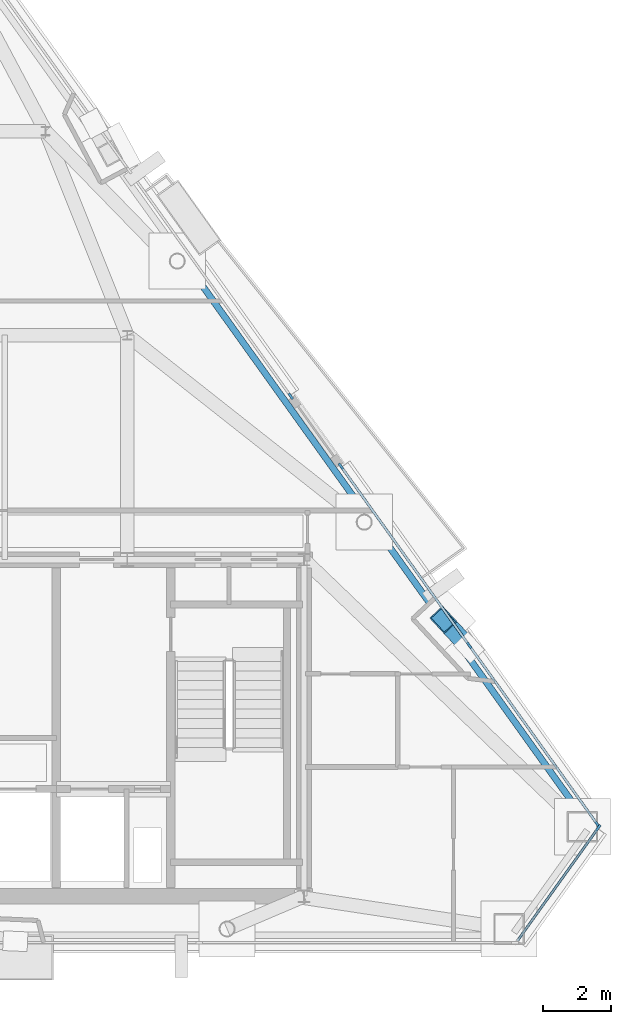
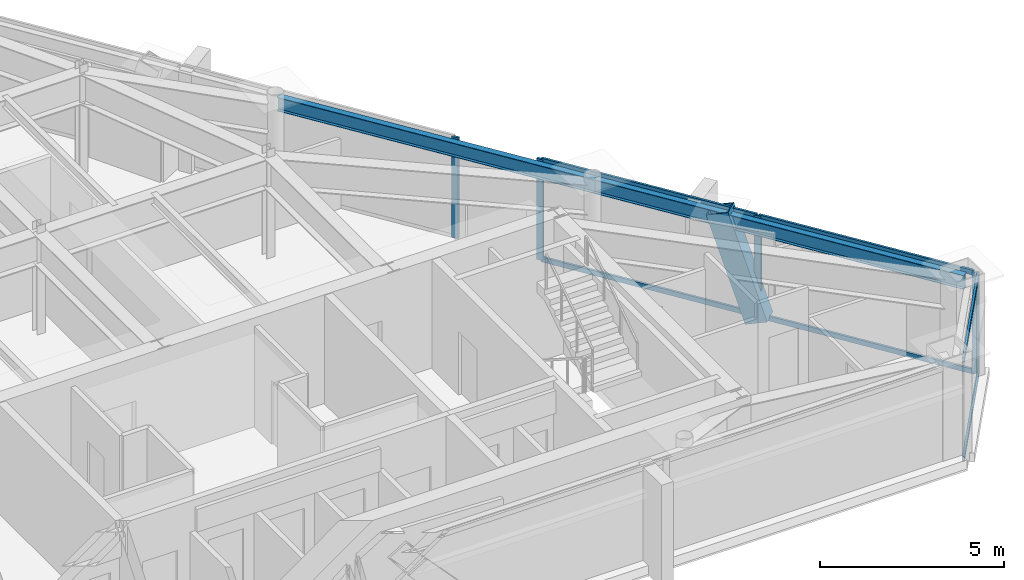
# One storey, part 6 of 12: 12 members, 2 beams, 3 elements without a shape of their own.
"""IFC4 building model written with IfcOpenShell, lengths in metres."""

from ifc_helpers import new_model, si_unit, direction, frame, origin, origin_2d, place, context, subcontext, project, spatial, rectangle, hollow_rectangle, i_section, extrude, material, layer, layer_set, material_profile, profile_set, type_object, element, aggregate, save


model = new_model("IFC4")

# Units and contexts
model_context = context("Model", 3, precision=1e-05, world=origin(), true_north=direction((0.0, 1.0)))
body_context = subcontext(model_context, "Body", "Model", "MODEL_VIEW")
ifc_project = project(units=[si_unit("LENGTHUNIT", "METRE"), si_unit("AREAUNIT", "SQUARE_METRE"), si_unit("VOLUMEUNIT", "CUBIC_METRE"), si_unit("PLANEANGLEUNIT", "RADIAN"), si_unit("MASSUNIT", "GRAM", prefix="KILO")], contexts=[model_context])

# Site, building, storey
site_placement = place(None, origin())
site = spatial("IfcSite", under=ifc_project, at=site_placement, CompositionType="ELEMENT")
building_placement = place(site_placement, origin())
building = spatial("IfcBuilding", under=site, at=building_placement, Name="Talgorran Terracotta Tower", CompositionType="ELEMENT")
storey_placement = place(building_placement, frame((0.0, 0.0, 259.800048828125)))
storey = spatial("IfcBuildingStorey", under=building, at=storey_placement, Name="L68", CompositionType="ELEMENT", Elevation=259.800048828125)

# Beams
ifc_material_1 = material(Name="Steel S355 (300PLUS)", Category="steel")
ifc_material_profile_1 = material_profile(ifc_material_1, i_section(OverallWidth=0.18994140625, OverallDepth=0.45703125, WebThickness=0.009033203125, FlangeThickness=0.014404296875, at=origin_2d()), Name="460UB74.6")
ifc_profile_set_1 = profile_set([ifc_material_profile_1], Name="Steel S355 (300PLUS)")
beam_type = type_object("IfcBeamType", Name="BM_SP_460UB74", PredefinedType="SPANDREL", material=ifc_profile_set_1)
beam_1_placement = place(storey_placement, frame((20.7314453125, -11.951904296875, 3.116455078125), z_axis=(-0.58220828918, 0.813039671855, 0.0), x_axis=(-0.813039671855, -0.58220828918, 0.0)))
element("IfcBeam", 1, at=beam_1_placement, inside=storey, type_object=beam_type, Name="L68 Perimeter Spandrel Beam MC4-FC3", PredefinedType="SPANDREL", context=body_context, shape_type="SweptSolid", body=[
    extrude(i_section(OverallWidth=0.18994140625, OverallDepth=0.45703125, WebThickness=0.009033203125, FlangeThickness=0.014404296875, at=origin_2d()), origin(), (0.0, 0.0, 1.0), 11.017578125),
])
beam_2_placement = place(storey_placement, frame((14.31689453125, -2.994140625, 3.116455078125), z_axis=(-0.582203768418, 0.813042909102, 0.0), x_axis=(-0.813042909102, -0.582203768418, 0.0)))
element("IfcBeam", 2, at=beam_2_placement, inside=storey, type_object=beam_type, Name="L68 Perimeter Spandrel Beam FC3-FC4", PredefinedType="SPANDREL", context=body_context, shape_type="SweptSolid", body=[
    extrude(i_section(OverallWidth=0.18994140625, OverallDepth=0.45703125, WebThickness=0.009033203125, FlangeThickness=0.014404296875, at=origin_2d()), origin(), (0.0, 0.0, 1.0), 9.443603515625),
])

# Member
ifc_material_2 = material(Name="Steel Grade 350 (350L0)", Category="steel")
ifc_material_profile_2 = material_profile(ifc_material_2, hollow_rectangle(XDim=0.52001953125, YDim=0.659912109375, WallThickness=0.034912109375, at=origin_2d()), Name="WBOX660X520X35")
ifc_profile_set_2 = profile_set([ifc_material_profile_2], Name="Steel Grade 350 (350L0)")
member_type_1 = type_object("IfcMemberType", Name="MB_MEGA_660", PredefinedType="BRACE", material=ifc_profile_set_2)
member_1_placement = place(storey_placement, frame((17.255126953125, -6.7880859375, -0.025146484375), z_axis=(-0.211573447714, 0.228384516234, 0.950303735112), x_axis=(-0.733590428143, -0.679591850847, 0.0)))
element("IfcMember", 3, at=member_1_placement, inside=storey, type_object=member_type_1, Name="L68 Exterior Face Mega-Brace MB-3 (NEL)", PredefinedType="BRACE", context=body_context, shape_type="SweptSolid", body=[
    extrude(hollow_rectangle(XDim=0.52001953125, YDim=0.659912109375, WallThickness=0.034912109375, at=origin_2d()), origin(), (0.0, 0.0, 1.0), 3.572509765625),
])

# Curtain wall, member
ifc_material_3 = material(Name="High-Wind Unitised Glazing", Category="glass")
ifc_layer = layer(ifc_material_3, 0.2099609375, Name="CW_SYS3_RES_HIGH")
ifc_layer_set = layer_set([ifc_layer], Name="High-Wind Unitised Glazing")
curtain_wall_type = type_object("IfcCurtainWallType", Name="CW_SYS3_RES_HIGH", PredefinedType="NOTDEFINED", material=ifc_layer_set)
curtain_wall_1_placement = place(storey_placement, origin())
curtain_wall_1 = element("IfcCurtainWall", 4, at=curtain_wall_1_placement, inside=storey, type_object=curtain_wall_type, Name="CW-L68-F2", PredefinedType="NOTDEFINED")
ifc_material_4 = material(Name="Architectural Aluminium 6063-T6", Category="aluminium")
ifc_material_profile_3 = material_profile(ifc_material_4, rectangle(XDim=0.070068359375, YDim=0.199951171875, at=origin_2d()), Name="CWM70X200")
ifc_profile_set_3 = profile_set([ifc_material_profile_3], Name="Architectural Aluminium 6063-T6")
member_type_2 = type_object("IfcMemberType", Name="MUL_70X200", PredefinedType="MULLION", material=ifc_profile_set_3)
member_2_placement = place(storey_placement, frame((21.056640625, -12.085205078125, 0.0), z_axis=(0.0, 0.0, 1.0), x_axis=(-0.813031401137, 0.582219838862, 0.0)))
member_2 = element("IfcMember", 5, at=member_2_placement, type_object=member_type_2, Name="CW-L68-2 mullion 2", PredefinedType="MULLION", context=body_context, shape_type="SweptSolid", body=[
    extrude(rectangle(XDim=0.070068359375, YDim=0.199951171875, at=origin_2d()), origin(), (0.0, 0.0, 1.0), 3.344970703125),
])

# Curtain wall, members
curtain_wall_2_placement = place(storey_placement, origin())
curtain_wall_2 = element("IfcCurtainWall", 6, at=curtain_wall_2_placement, inside=storey, type_object=curtain_wall_type, Name="CW-L68-F40", PredefinedType="NOTDEFINED")
member_3_placement = place(storey_placement, frame((21.033447265625, -11.995849609375, 0.0), z_axis=(0.0, 0.0, 1.0), x_axis=(-0.813042499903, -0.58220433986, 0.0)))
member_3 = element("IfcMember", 7, at=member_3_placement, type_object=member_type_2, Name="CW-L68-40 mullion 1", PredefinedType="MULLION", context=body_context, shape_type="SweptSolid", body=[
    extrude(rectangle(XDim=0.070068359375, YDim=0.199951171875, at=origin_2d()), origin(), (0.0, 0.0, 1.0), 3.344970703125),
])
member_4_placement = place(storey_placement, frame((17.259033203125, -6.724853515625, 0.0), z_axis=(0.0, 0.0, 1.0), x_axis=(-0.813042499903, -0.58220433986, 0.0)))
member_4 = element("IfcMember", 8, at=member_4_placement, type_object=member_type_2, Name="CW-L68-40 mullion 2", PredefinedType="MULLION", context=body_context, shape_type="SweptSolid", body=[
    extrude(rectangle(XDim=0.070068359375, YDim=0.199951171875, at=origin_2d()), origin(), (0.0, 0.0, 1.0), 3.344970703125),
])
member_5_placement = place(storey_placement, frame((13.484619140625, -1.453857421875, 0.0), z_axis=(0.0, 0.0, 1.0), x_axis=(-0.813042499903, -0.58220433986, 0.0)))
member_5 = element("IfcMember", 9, at=member_5_placement, type_object=member_type_2, Name="CW-L68-40 mullion 3", PredefinedType="MULLION", context=body_context, shape_type="SweptSolid", body=[
    extrude(rectangle(XDim=0.070068359375, YDim=0.199951171875, at=origin_2d()), origin(), (0.0, 0.0, 1.0), 3.344970703125),
])

# Curtain wall, member
curtain_wall_3_placement = place(storey_placement, origin())
curtain_wall_3 = element("IfcCurtainWall", 10, at=curtain_wall_3_placement, inside=storey, type_object=curtain_wall_type, Name="CW-L68-F41", PredefinedType="NOTDEFINED")
member_6_placement = place(storey_placement, frame((12.011474609375, 0.603271484375, 0.0), z_axis=(0.0, 0.0, 1.0), x_axis=(-0.813042574, -0.582204236384, 0.0)))
member_6 = element("IfcMember", 11, at=member_6_placement, type_object=member_type_2, Name="CW-L68-41 mullion 1", PredefinedType="MULLION", context=body_context, shape_type="SweptSolid", body=[
    extrude(rectangle(XDim=0.070068359375, YDim=0.199951171875, at=origin_2d()), origin(), (0.0, 0.0, 1.0), 3.344970703125),
])
aggregate(curtain_wall_3, [member_6])

# Member
ifc_material_profile_4 = material_profile(ifc_material_4, rectangle(XDim=0.070068359375, YDim=0.159912109375, at=origin_2d()), Name="CWT70X160")
ifc_profile_set_4 = profile_set([ifc_material_profile_4], Name="Architectural Aluminium 6063-T6")
member_type_3 = type_object("IfcMemberType", Name="TRN_70X160", PredefinedType="USERDEFINED", material=ifc_profile_set_4)
member_7_placement = place(storey_placement, frame((18.678466796875, -15.406494140625, 0.034912109375), z_axis=(0.582184359595, 0.813056807021, 0.0), x_axis=(-0.813056807021, 0.582184359595, 0.0)))
member_7 = element("IfcMember", 12, at=member_7_placement, type_object=member_type_3, Name="CW-L68-2 transom 1.1", ObjectType="TRANSOM", PredefinedType="USERDEFINED", context=body_context, shape_type="SweptSolid", body=[
    extrude(rectangle(XDim=0.070068359375, YDim=0.159912109375, at=origin_2d()), origin(), (0.0, 0.0, 1.0), 4.050048828125),
])

member_8_placement = place(storey_placement, frame((18.678466796875, -15.406494140625, 3.31005859375), z_axis=(0.582184359595, 0.813056807021, 0.0), x_axis=(-0.813056807021, 0.582184359595, 0.0)))
member_8 = element("IfcMember", 13, at=member_8_placement, type_object=member_type_3, Name="CW-L68-2 transom 1.2", ObjectType="TRANSOM", PredefinedType="USERDEFINED", context=body_context, shape_type="SweptSolid", body=[
    extrude(rectangle(XDim=0.070068359375, YDim=0.159912109375, at=origin_2d()), origin(), (0.0, 0.0, 1.0), 4.050048828125),
])

aggregate(curtain_wall_1, [member_2, member_7, member_8])

member_9_placement = place(storey_placement, frame((21.012939453125, -11.96728515625, 0.034912109375), z_axis=(-0.582195700012, 0.813048686665, 0.0), x_axis=(-0.813048686665, -0.582195700012, 0.0)))
member_9 = element("IfcMember", 14, at=member_9_placement, type_object=member_type_3, Name="CW-L68-40 transom 1.1", ObjectType="TRANSOM", PredefinedType="USERDEFINED", context=body_context, shape_type="SweptSolid", body=[
    extrude(rectangle(XDim=0.070068359375, YDim=0.159912109375, at=origin_2d()), origin(), (0.0, 0.0, 1.0), 6.4130859375),
])

member_10_placement = place(storey_placement, frame((21.012939453125, -11.96728515625, 3.31005859375), z_axis=(-0.582195700012, 0.813048686665, 0.0), x_axis=(-0.813048686665, -0.582195700012, 0.0)))
member_10 = element("IfcMember", 15, at=member_10_placement, type_object=member_type_3, Name="CW-L68-40 transom 1.2", ObjectType="TRANSOM", PredefinedType="USERDEFINED", context=body_context, shape_type="SweptSolid", body=[
    extrude(rectangle(XDim=0.070068359375, YDim=0.159912109375, at=origin_2d()), origin(), (0.0, 0.0, 1.0), 6.4130859375),
])

member_11_placement = place(storey_placement, frame((17.238525390625, -6.6962890625, 0.034912109375), z_axis=(-0.58221372072, 0.813035782365, 0.0), x_axis=(-0.813035782365, -0.58221372072, 0.0)))
member_11 = element("IfcMember", 16, at=member_11_placement, type_object=member_type_3, Name="CW-L68-40 transom 2.1", ObjectType="TRANSOM", PredefinedType="USERDEFINED", context=body_context, shape_type="SweptSolid", body=[
    extrude(rectangle(XDim=0.070068359375, YDim=0.159912109375, at=origin_2d()), origin(), (0.0, 0.0, 1.0), 6.412841796875),
])

member_12_placement = place(storey_placement, frame((17.238525390625, -6.6962890625, 3.31005859375), z_axis=(-0.58221372072, 0.813035782365, 0.0), x_axis=(-0.813035782365, -0.58221372072, 0.0)))
member_12 = element("IfcMember", 17, at=member_12_placement, type_object=member_type_3, Name="CW-L68-40 transom 2.2", ObjectType="TRANSOM", PredefinedType="USERDEFINED", context=body_context, shape_type="SweptSolid", body=[
    extrude(rectangle(XDim=0.070068359375, YDim=0.159912109375, at=origin_2d()), origin(), (0.0, 0.0, 1.0), 6.412841796875),
])

aggregate(curtain_wall_2, [member_3, member_4, member_5, member_9, member_10, member_11, member_12])

save(model, "model.ifc")
